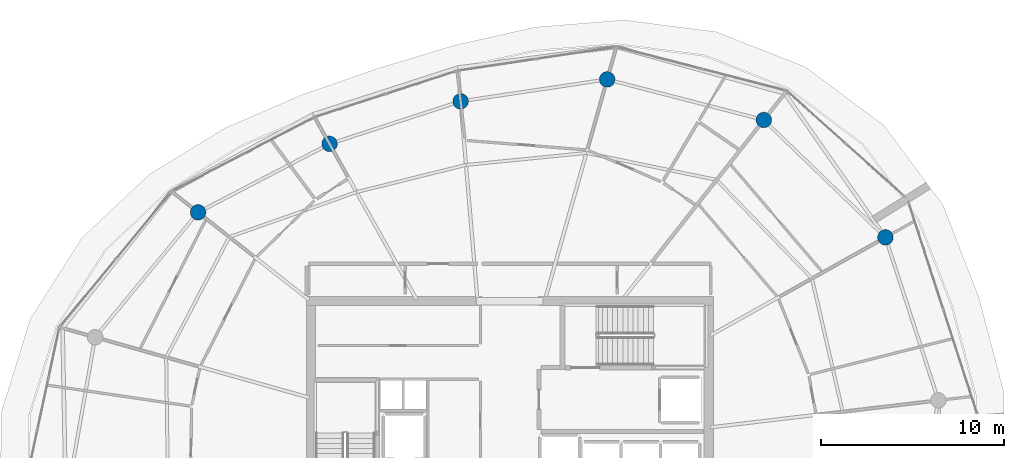
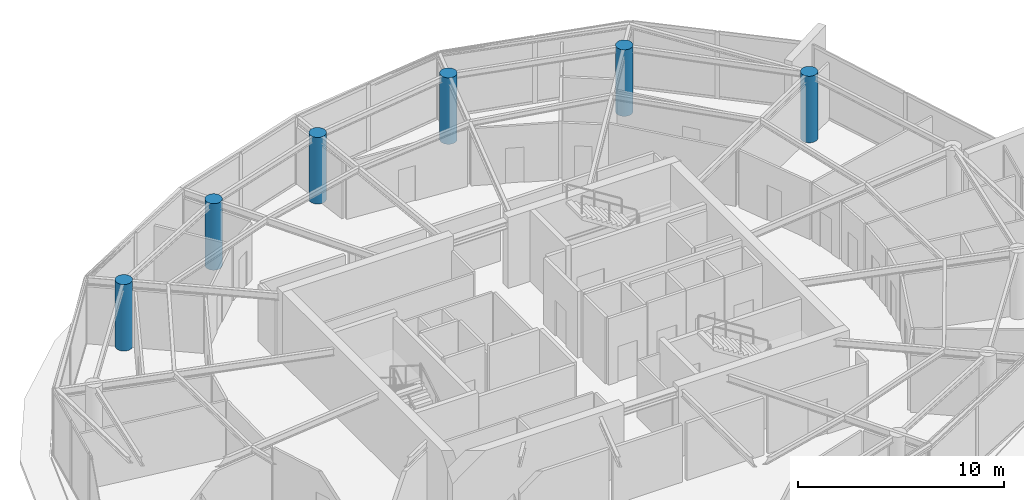
# One storey, part 4 of 16: 6 columns.
"""IFC4 building model written with IfcOpenShell, lengths in metres."""

from ifc_helpers import new_model, si_unit, direction, frame, origin, origin_2d, place, context, subcontext, project, spatial, circle, extrude, material, material_profile, profile_set, type_object, element, save


model = new_model("IFC4")

# Units and contexts
model_context = context("Model", 3, precision=1e-05, world=origin(), true_north=direction((0.0, 1.0)))
body_context = subcontext(model_context, "Body", "Model", "MODEL_VIEW")
ifc_project = project(units=[si_unit("LENGTHUNIT", "METRE"), si_unit("AREAUNIT", "SQUARE_METRE"), si_unit("VOLUMEUNIT", "CUBIC_METRE"), si_unit("PLANEANGLEUNIT", "RADIAN"), si_unit("MASSUNIT", "GRAM", prefix="KILO")], contexts=[model_context])

# Site, building, storey
site_placement = place(None, origin())
site = spatial("IfcSite", under=ifc_project, at=site_placement, CompositionType="ELEMENT")
building_placement = place(site_placement, origin())
building = spatial("IfcBuilding", under=site, at=building_placement, Name="Kazma Halo Residences", CompositionType="ELEMENT")
storey_placement = place(building_placement, frame((0.0, 0.0, 313.699951171875)))
storey = spatial("IfcBuildingStorey", under=building, at=storey_placement, Name="L79", CompositionType="ELEMENT", Elevation=313.699951171875)

# Columns
ifc_material = material(Name="Concrete C60/75", Category="concrete")
ifc_material_profile = material_profile(ifc_material, circle(Radius=0.425048828125, at=origin_2d()), Name="CIRC850")
ifc_profile_set = profile_set([ifc_material_profile], Name="Concrete C60/75")
column_type = type_object("IfcColumnType", Name="COL-PERIM-850", PredefinedType="COLUMN", material=ifc_profile_set)
for number, where, z_axis, x_axis, name in (
    (1, (68.96337890625, 53.739990234375, 0.0), (0.0, 0.0, 1.0), (1.0, 0.0, 0.0), "L79 perimeter ring column P01"),
    (2, (62.31591796875, 60.159423828125, 0.0), (0.0, 0.0, 1.0), (1.0, 0.0, 0.0), "L79 perimeter ring column P02"),
    (3, (53.74658203125, 62.37646484375, 0.0), (0.0, 0.0, 1.0), (1.0, 0.0, 0.0), "L79 perimeter ring column P03"),
    (4, (45.72998046875, 61.17919921875, 0.0), (0.0, 0.0, 1.0), (1.0, 0.0, 0.0), "L79 perimeter ring column P04"),
    (5, (38.563232421875, 58.8505859375, 0.0), (0.0, 0.0, 1.0), (1.0, 0.0, 0.0), "L79 perimeter ring column P05"),
    (6, (31.373779296875, 55.10693359375, 0.0), (0.0, 0.0, 1.0), (1.0, 0.0, 0.0), "L79 perimeter ring column P06"),
):
    element("IfcColumn", number, at=place(storey_placement, frame(where, z_axis=z_axis, x_axis=x_axis)), inside=storey, type_object=column_type, Name=name, PredefinedType="COLUMN", context=body_context, shape_type="SweptSolid", body=[
        extrude(circle(Radius=0.425048828125, at=origin_2d()), origin(), (0.0, 0.0, 1.0), 3.93994140625),
    ])

save(model, "model.ifc")
